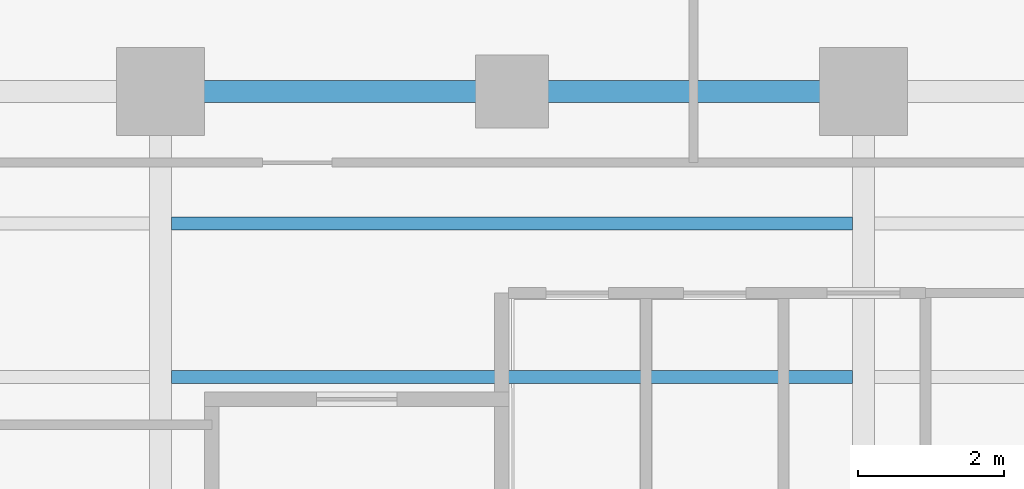
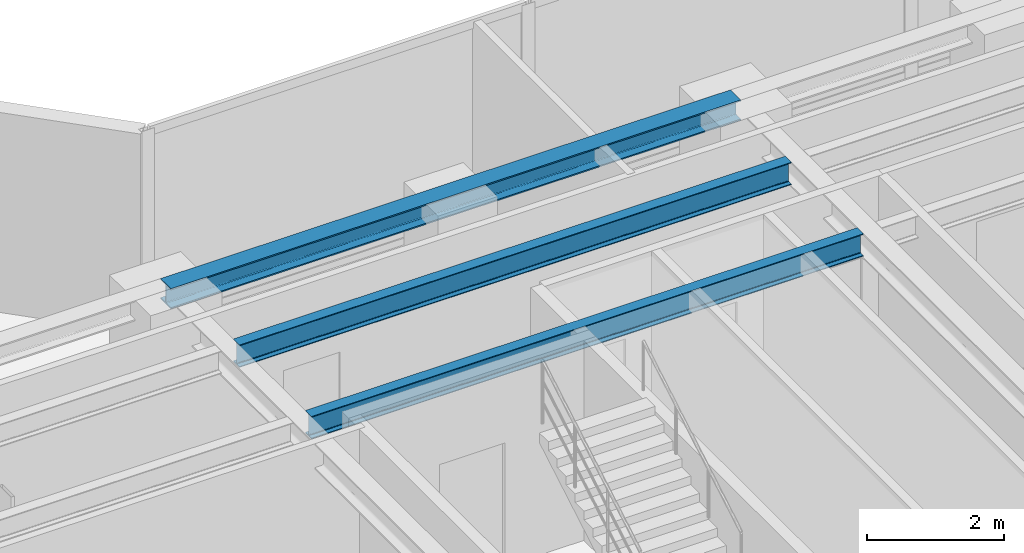
# One storey, part 5 of 28: 3 beams.
"""IFC4 building model written with IfcOpenShell, lengths in metres."""

from ifc_helpers import new_model, si_unit, direction, frame, origin, origin_2d, place, context, subcontext, project, spatial, i_section, extrude, material, material_profile, profile_set, type_object, element, save


model = new_model("IFC4")

# Units and contexts
model_context = context("Model", 3, precision=1e-05, world=origin(), true_north=direction((0.0, 1.0)))
body_context = subcontext(model_context, "Body", "Model", "MODEL_VIEW")
ifc_project = project(units=[si_unit("LENGTHUNIT", "METRE"), si_unit("AREAUNIT", "SQUARE_METRE"), si_unit("VOLUMEUNIT", "CUBIC_METRE"), si_unit("PLANEANGLEUNIT", "RADIAN"), si_unit("MASSUNIT", "GRAM", prefix="KILO")], contexts=[model_context])

# Site, building, storey
site_placement = place(None, origin())
site = spatial("IfcSite", under=ifc_project, at=site_placement, CompositionType="ELEMENT")
building_placement = place(site_placement, origin())
building = spatial("IfcBuilding", under=site, at=building_placement, Name="Kolvaren Waterfront Exchange", CompositionType="ELEMENT")
storey_placement = place(building_placement, frame((0.0, 0.0, 146.199951171875)))
storey = spatial("IfcBuildingStorey", under=building, at=storey_placement, Name="L37", CompositionType="ELEMENT", Elevation=146.199951171875)

# Beams
ifc_material = material(Name="Steel S355", Category="steel")
ifc_material_profile_1 = material_profile(ifc_material, i_section(OverallWidth=0.300048828125, OverallDepth=0.360107421875, WebThickness=0.012451171875, FlangeThickness=0.0224609375, FilletRadius=0.027099609375, at=origin_2d()), Name="HEB360")
ifc_profile_set_1 = profile_set([ifc_material_profile_1], Name="Steel S355")
beam_type_1 = type_object("IfcBeamType", Name="STR-BM-HEB360", PredefinedType="SPANDREL", material=ifc_profile_set_1)
beam_placement = place(storey_placement, frame((27.199951171875, 17.39990234375, 3.380126953125), z_axis=(1.0, 0.0, 0.0), x_axis=(0.0, 1.0, 0.0)))
element("IfcBeam", 1, at=beam_placement, inside=storey, type_object=beam_type_1, Name="L37 east-arm spandrel N2", PredefinedType="SPANDREL", context=body_context, shape_type="SweptSolid", body=[
    extrude(i_section(OverallWidth=0.300048828125, OverallDepth=0.360107421875, WebThickness=0.012451171875, FlangeThickness=0.0224609375, FilletRadius=0.027099609375, at=origin_2d()), origin(), (0.0, 0.0, 1.0), 9.60009765625),
])
ifc_material_profile_2 = material_profile(ifc_material, i_section(OverallWidth=0.179931640625, OverallDepth=0.39990234375, WebThickness=0.008544921875, FlangeThickness=0.013427734375, FilletRadius=0.02099609375, at=origin_2d()), Name="IPE400")
ifc_profile_set_2 = profile_set([ifc_material_profile_2], Name="Steel S355")
beam_type_2 = type_object("IfcBeamType", Name="STR-BM-IPE400", PredefinedType="JOIST", material=ifc_profile_set_2)
for number, where, z_axis, x_axis, name in (
    (2, (27.35205078125, 13.5, 3.360107421875), (1.0, 0.0, 0.0), (0.0, 1.0, 0.0), "L37 east-arm composite joist 2A"),
    (3, (27.35205078125, 15.60009765625, 3.360107421875), (1.0, 0.0, 0.0), (0.0, 1.0, 0.0), "L37 east-arm composite joist 2C"),
):
    element("IfcBeam", number, at=place(storey_placement, frame(where, z_axis=z_axis, x_axis=x_axis)), inside=storey, type_object=beam_type_2, Name=name, PredefinedType="JOIST", context=body_context, shape_type="SweptSolid", body=[
        extrude(i_section(OverallWidth=0.179931640625, OverallDepth=0.39990234375, WebThickness=0.008544921875, FlangeThickness=0.013427734375, FilletRadius=0.02099609375, at=origin_2d()), origin(), (0.0, 0.0, 1.0), 9.2958984375),
    ])

save(model, "model.ifc")
